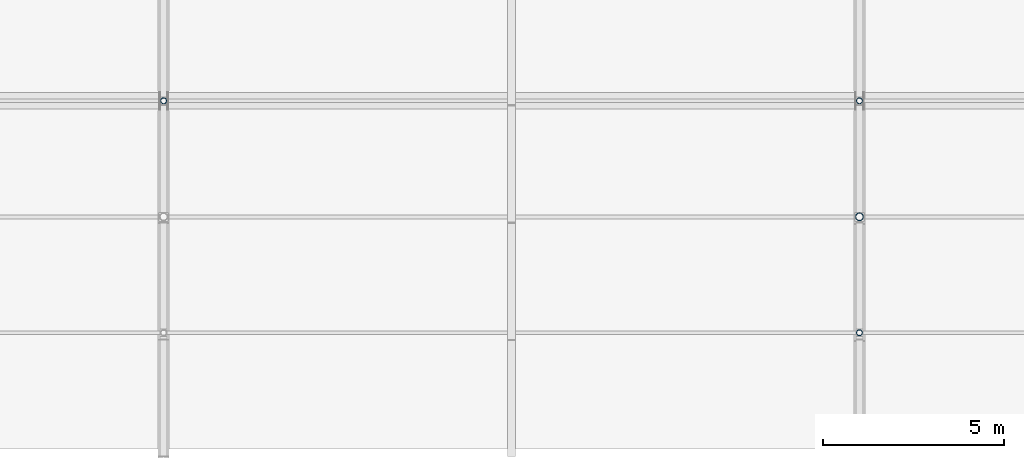
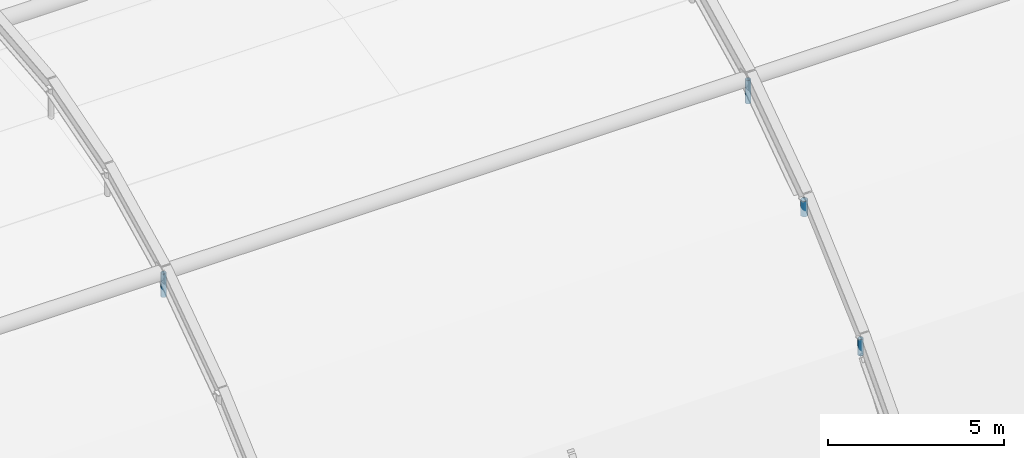
# One storey, part 99 of 126: 4 members.
"""IFC4 building model written with IfcOpenShell, lengths in metres."""

from ifc_helpers import new_model, si_unit, direction, frame, origin, origin_2d, place, context, subcontext, project, spatial, hollow_circle, extrude, material, material_profile, profile_set, type_object, element, save


model = new_model("IFC4")

# Units and contexts
model_context = context("Model", 3, precision=1e-05, world=origin(), true_north=direction((0.0, 1.0)))
body_context = subcontext(model_context, "Body", "Model", "MODEL_VIEW")
ifc_project = project(units=[si_unit("LENGTHUNIT", "METRE"), si_unit("AREAUNIT", "SQUARE_METRE"), si_unit("VOLUMEUNIT", "CUBIC_METRE"), si_unit("PLANEANGLEUNIT", "RADIAN"), si_unit("MASSUNIT", "GRAM", prefix="KILO")], contexts=[model_context])

# Site, building, storey
site_placement = place(None, origin())
site = spatial("IfcSite", under=ifc_project, at=site_placement, CompositionType="ELEMENT")
building_placement = place(site_placement, origin())
building = spatial("IfcBuilding", under=site, at=building_placement, Name="Coralgate Yard Interchange", CompositionType="ELEMENT")
storey_placement = place(building_placement, frame((0.0, 0.0, 10.5)))
storey = spatial("IfcBuildingStorey", under=building, at=storey_placement, Name="L02", CompositionType="ELEMENT", Elevation=10.5)

# Members
ifc_material = material(Name="Yellow-ochre weather-coated structural steel S355J2", Category="steel")
ifc_material_profile_1 = material_profile(ifc_material, hollow_circle(Radius=0.109619140625, WallThickness=0.010009765625, at=origin_2d()), Name="CHS 219.1x10")
ifc_profile_set_1 = profile_set([ifc_material_profile_1], Name="Yellow-ochre weather-coated structural steel S355J2")
member_type_1 = type_object("IfcMemberType", Name="MB-HG-1", PredefinedType="STRUT", material=ifc_profile_set_1)
member_1_placement = place(storey_placement, frame((86.39990234375, 44.800048828125, 7.44921875), z_axis=(0.0, 0.0, 1.0), x_axis=(1.0, 0.0, 0.0)))
element("IfcMember", 1, at=member_1_placement, inside=storey, type_object=member_type_1, Name="Arch AR-3 steel suspension hanger 2", PredefinedType="STRUT", context=body_context, shape_type="SweptSolid", body=[
    extrude(hollow_circle(Radius=0.109619140625, WallThickness=0.010009765625, at=origin_2d()), origin(), (0.0, 0.0, 1.0), 0.539794921875),
])
ifc_material_profile_2 = material_profile(ifc_material, hollow_circle(Radius=0.084228515625, WallThickness=0.008056640625, at=origin_2d()), Name="CHS 168.3x8")
ifc_profile_set_2 = profile_set([ifc_material_profile_2], Name="Yellow-ochre weather-coated structural steel S355J2")
member_type_2 = type_object("IfcMemberType", Name="MB-HG-2", PredefinedType="STRUT", material=ifc_profile_set_2)
member_2_placement = place(storey_placement, frame((67.199951171875, 48.0, 9.41259765625), z_axis=(0.0, 0.0, 1.0), x_axis=(1.0, 0.0, 0.0)))
element("IfcMember", 2, at=member_2_placement, inside=storey, type_object=member_type_2, Name="Arch AR-2 steel suspension hanger 3", PredefinedType="STRUT", context=body_context, shape_type="SweptSolid", body=[
    extrude(hollow_circle(Radius=0.084228515625, WallThickness=0.008056640625, at=origin_2d()), origin(), (0.0, 0.0, 1.0), 0.8125),
])
member_3_placement = place(storey_placement, frame((86.39990234375, 41.60009765625, 4.5361328125), z_axis=(0.0, 0.0, 1.0), x_axis=(1.0, 0.0, 0.0)))
element("IfcMember", 3, at=member_3_placement, inside=storey, type_object=member_type_2, Name="Arch AR-3 steel suspension hanger 1", PredefinedType="STRUT", context=body_context, shape_type="SweptSolid", body=[
    extrude(hollow_circle(Radius=0.084228515625, WallThickness=0.008056640625, at=origin_2d()), origin(), (0.0, 0.0, 1.0), 0.577880859375),
])
member_4_placement = place(storey_placement, frame((86.39990234375, 48.0, 9.41259765625), z_axis=(0.0, 0.0, 1.0), x_axis=(1.0, 0.0, 0.0)))
element("IfcMember", 4, at=member_4_placement, inside=storey, type_object=member_type_2, Name="Arch AR-3 steel suspension hanger 3", PredefinedType="STRUT", context=body_context, shape_type="SweptSolid", body=[
    extrude(hollow_circle(Radius=0.084228515625, WallThickness=0.008056640625, at=origin_2d()), origin(), (0.0, 0.0, 1.0), 0.8125),
])

save(model, "model.ifc")
